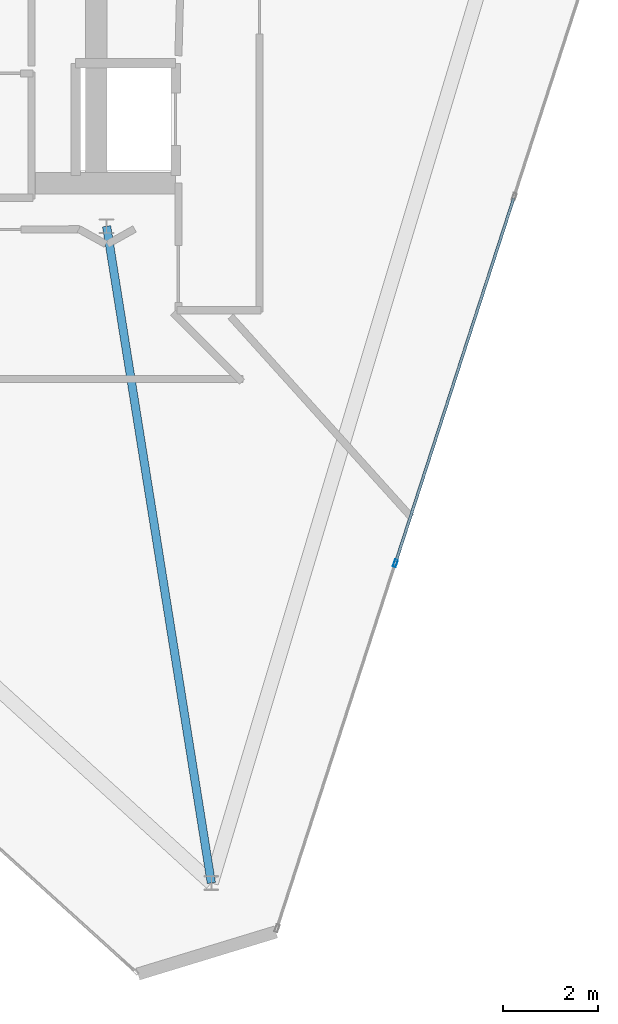
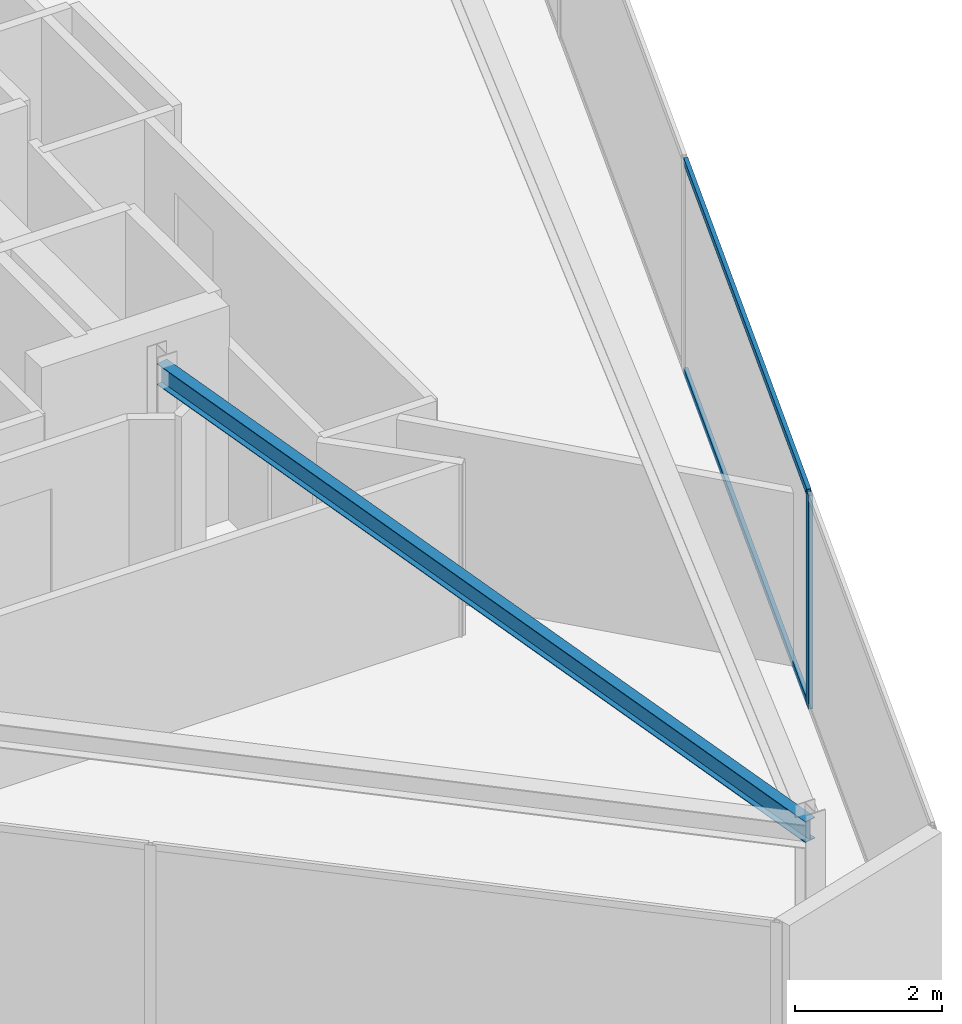
# One storey, part 6 of 16: 3 members, 1 beam, 1 element without a shape of its own.
"""IFC4 building model written with IfcOpenShell, lengths in metres."""

from ifc_helpers import new_model, si_unit, direction, frame, origin, origin_2d, place, context, subcontext, project, spatial, hollow_rectangle, i_section, extrude, material, layer, layer_set, material_profile, profile_set, type_object, element, aggregate, save


model = new_model("IFC4")

# Units and contexts
model_context = context("Model", 3, precision=1e-05, world=origin(), true_north=direction((0.0, 1.0)))
body_context = subcontext(model_context, "Body", "Model", "MODEL_VIEW")
ifc_project = project(units=[si_unit("LENGTHUNIT", "METRE"), si_unit("AREAUNIT", "SQUARE_METRE"), si_unit("VOLUMEUNIT", "CUBIC_METRE"), si_unit("PLANEANGLEUNIT", "RADIAN"), si_unit("MASSUNIT", "GRAM", prefix="KILO")], contexts=[model_context])

# Site, building, storey
site_placement = place(None, origin())
site = spatial("IfcSite", under=ifc_project, at=site_placement, CompositionType="ELEMENT")
building_placement = place(site_placement, origin())
building = spatial("IfcBuilding", under=site, at=building_placement, Name="Qianvela Tower", CompositionType="ELEMENT")
storey_placement = place(building_placement, frame((0.0, 0.0, 367.550048828125)))
storey = spatial("IfcBuildingStorey", under=building, at=storey_placement, Name="L95", CompositionType="ELEMENT", Elevation=367.550048828125)

# Beam
ifc_material_1 = material(Name="Steel Q355B", Category="steel")
ifc_material_profile_1 = material_profile(ifc_material_1, i_section(OverallWidth=0.175048828125, OverallDepth=0.35009765625, WebThickness=0.007080078125, FlangeThickness=0.010986328125, at=origin_2d()), Name="HN350x175x7x11")
ifc_profile_set_1 = profile_set([ifc_material_profile_1], Name="Steel Q355B")
beam_type = type_object("IfcBeamType", Name="BM-HN350-JOIST", PredefinedType="JOIST", material=ifc_profile_set_1)
beam_placement = place(storey_placement, frame((38.39990234375, 23.85009765625, 3.373046875), z_axis=(0.157462605368, -0.987524950526, 0.0), x_axis=(0.987524950526, 0.157462605368, 0.0)))
element("IfcBeam", 1, at=beam_placement, inside=storey, type_object=beam_type, Name="L95 Crown Radial Floor Girder 2", PredefinedType="JOIST", context=body_context, shape_type="SweptSolid", body=[
    extrude(i_section(OverallWidth=0.175048828125, OverallDepth=0.35009765625, WebThickness=0.007080078125, FlangeThickness=0.010986328125, at=origin_2d()), origin(), (0.0, 0.0, 1.0), 13.99755859375),
])

# Curtain wall, members
ifc_material_2 = material(Name="Anodised Architectural Aluminium and Low-E Glass", Category="aluminium")
ifc_layer = layer(ifc_material_2, 0.159912109375)
ifc_layer_set = layer_set([ifc_layer], Name="Anodised Architectural Aluminium and Low-E Glass")
curtain_wall_type = type_object("IfcCurtainWallType", Name="CW-CROWN", PredefinedType="USERDEFINED", material=ifc_layer_set)
curtain_wall_placement = place(storey_placement, origin())
curtain_wall = element("IfcCurtainWall", 2, at=curtain_wall_placement, inside=storey, type_object=curtain_wall_type, Name="L95 CW-CROWN Curtain Wall 06", ObjectType="CURTAIN_WALL_SYSTEM", PredefinedType="USERDEFINED")
ifc_material_3 = material(Name="Anodised Architectural Aluminium 6063-T6", Category="aluminium")
ifc_material_profile_2 = material_profile(ifc_material_3, hollow_rectangle(XDim=0.06494140625, YDim=0.159912109375, WallThickness=0.0048828125, at=origin_2d()), Name="ALU-MULL-65x160")
ifc_profile_set_2 = profile_set([ifc_material_profile_2], Name="Anodised Architectural Aluminium 6063-T6")
member_type_1 = type_object("IfcMemberType", Name="CW-CROWN-MULL", PredefinedType="MULLION", material=ifc_profile_set_2)
member_1_placement = place(storey_placement, frame((44.477783203125, 16.755126953125, 0.0), z_axis=(0.0, 0.0, 1.0), x_axis=(-0.951255578594, 0.30840367085, 0.0)))
member_1 = element("IfcMember", 3, at=member_1_placement, type_object=member_type_1, Name="CW-8 mullion 2", PredefinedType="MULLION", context=body_context, shape_type="SweptSolid", body=[
    extrude(hollow_rectangle(XDim=0.06494140625, YDim=0.159912109375, WallThickness=0.0048828125, at=origin_2d()), origin(), (0.0, 0.0, 1.0), 3.550048828125),
])
ifc_material_4 = material(Name="Anodised Architectural Aluminium 6063-T6", Category="aluminium")
ifc_material_profile_3 = material_profile(ifc_material_4, hollow_rectangle(XDim=0.06005859375, YDim=0.114990234375, WallThickness=0.00390625, at=origin_2d()), Name="ALU-TRAN-60x115")
ifc_profile_set_3 = profile_set([ifc_material_profile_3], Name="Anodised Architectural Aluminium 6063-T6")
member_type_2 = type_object("IfcMemberType", Name="CW-CROWN-TRAN", PredefinedType="USERDEFINED", material=ifc_profile_set_3)
member_2_placement = place(storey_placement, frame((44.48779296875, 16.7861328125, 0.030029296875), z_axis=(0.308423053118, 0.95124929451, 0.0), x_axis=(-0.95124929451, 0.308423053118, 0.0)))
member_2 = element("IfcMember", 4, at=member_2_placement, type_object=member_type_2, Name="CW-8 transom 2.1", ObjectType="TRANSOM", PredefinedType="USERDEFINED", context=body_context, shape_type="SweptSolid", body=[
    extrude(hollow_rectangle(XDim=0.06005859375, YDim=0.114990234375, WallThickness=0.00390625, at=origin_2d()), origin(), (0.0, 0.0, 1.0), 8.0439453125),
])
member_3_placement = place(storey_placement, frame((44.48779296875, 16.7861328125, 3.52001953125), z_axis=(0.308423053118, 0.95124929451, 0.0), x_axis=(-0.95124929451, 0.308423053118, 0.0)))
member_3 = element("IfcMember", 5, at=member_3_placement, type_object=member_type_2, Name="CW-8 transom 2.2", ObjectType="TRANSOM", PredefinedType="USERDEFINED", context=body_context, shape_type="SweptSolid", body=[
    extrude(hollow_rectangle(XDim=0.06005859375, YDim=0.114990234375, WallThickness=0.00390625, at=origin_2d()), origin(), (0.0, 0.0, 1.0), 8.0439453125),
])
aggregate(curtain_wall, [member_1, member_2, member_3])

save(model, "model.ifc")
